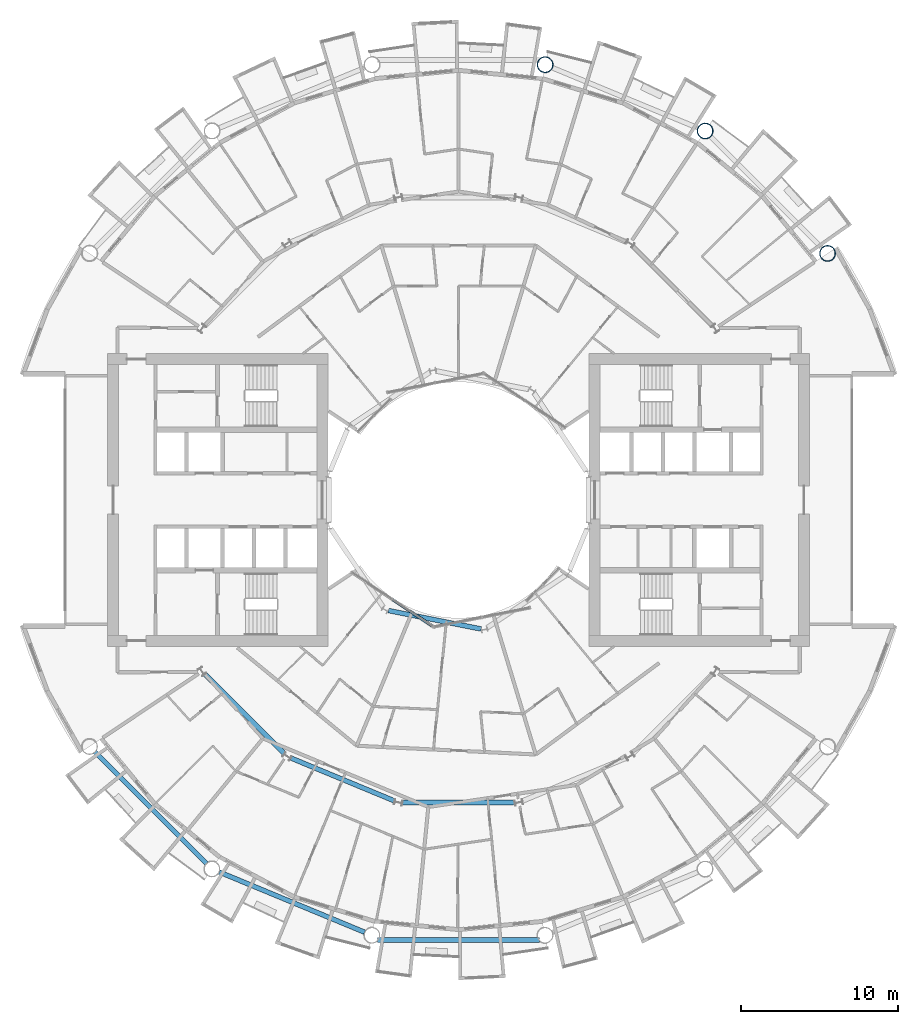
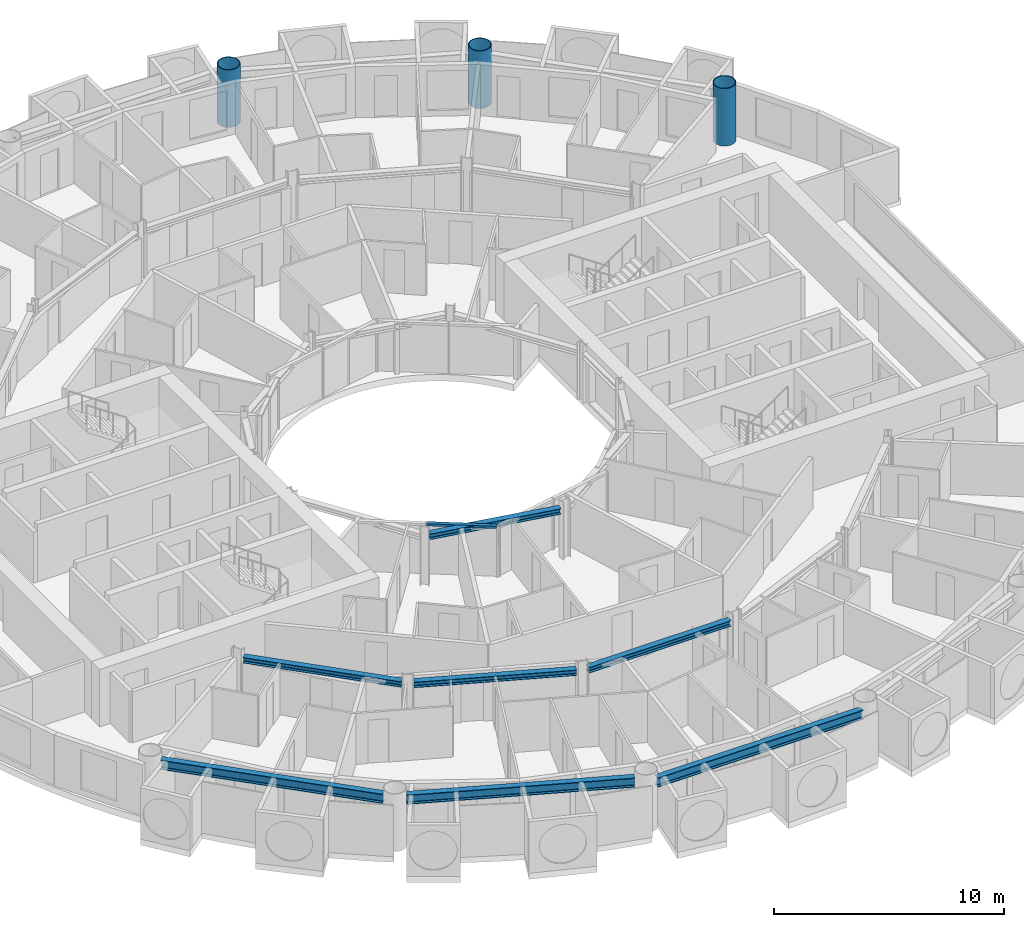
# One storey, part 4 of 26: 7 beams, 3 columns, 1 member, 1 element without a shape of its own.
"""IFC4 building model written with IfcOpenShell, lengths in metres."""

from ifc_helpers import new_model, si_unit, direction, frame, origin, origin_2d, place, context, subcontext, project, spatial, rectangle, hollow_circle, i_section, extrude, material, layer, layer_set, material_profile, profile_set, type_object, element, aggregate, save


model = new_model("IFC4")

# Units and contexts
model_context = context("Model", 3, precision=1e-05, world=origin(), true_north=direction((0.0, 1.0)))
body_context = subcontext(model_context, "Body", "Model", "MODEL_VIEW")
ifc_project = project(units=[si_unit("LENGTHUNIT", "METRE"), si_unit("AREAUNIT", "SQUARE_METRE"), si_unit("VOLUMEUNIT", "CUBIC_METRE"), si_unit("PLANEANGLEUNIT", "RADIAN"), si_unit("MASSUNIT", "GRAM", prefix="KILO")], contexts=[model_context])

# Site, building, storey
site_placement = place(None, origin())
site = spatial("IfcSite", under=ifc_project, at=site_placement, CompositionType="ELEMENT")
building_placement = place(site_placement, origin())
building = spatial("IfcBuilding", under=site, at=building_placement, Name="Maasbend Ring Residences", CompositionType="ELEMENT")
storey_placement = place(building_placement, frame((0.0, 0.0, 78.85009765625)))
storey = spatial("IfcBuildingStorey", under=building, at=storey_placement, Name="L22", CompositionType="ELEMENT", Elevation=78.85009765625)

# Columns
ifc_material_1 = material(Name="Composite concrete-filled steel tube S460NH / C80/95", Category="concrete")
ifc_material_profile_1 = material_profile(ifc_material_1, hollow_circle(Radius=0.508056640625, WallThickness=0.0400390625, at=origin_2d()), Name="Composite tube column CHS 1016x40")
ifc_profile_set_1 = profile_set([ifc_material_profile_1], Name="Composite concrete-filled steel tube S460NH / C80/95")
column_type = type_object("IfcColumnType", Name="Composite tube column CHS 1016x40", PredefinedType="COLUMN", material=ifc_profile_set_1)
for number, where, z_axis, x_axis, name in (
    (1, (23.447509765625, 15.6669921875, 0.0), (0.0, 0.0, 1.0), (1.0, 0.0, 0.0), "Outer column R2"),
    (2, (15.6669921875, 23.447509765625, 0.0), (0.0, 0.0, 1.0), (1.0, 0.0, 0.0), "Outer column R3"),
    (3, (5.50146484375, 27.658203125, 0.0), (0.0, 0.0, 1.0), (1.0, 0.0, 0.0), "Outer column R4"),
):
    element("IfcColumn", number, at=place(storey_placement, frame(where, z_axis=z_axis, x_axis=x_axis)), inside=storey, type_object=column_type, Name=name, PredefinedType="COLUMN", context=body_context, shape_type="SweptSolid", body=[
        extrude(hollow_circle(Radius=0.508056640625, WallThickness=0.0400390625, at=origin_2d()), origin(), (0.0, 0.0, 1.0), 3.0498046875),
    ])

# Curtain wall, member
ifc_material_2 = material(Name="Aluminium and clear glass", Category="aluminium")
ifc_layer = layer(ifc_material_2, 0.179931640625)
ifc_layer_set = layer_set([ifc_layer], Name="CW-W")
curtain_wall_type = type_object("IfcCurtainWallType", Name="CW-W", PredefinedType="NOTDEFINED", material=ifc_layer_set)
curtain_wall_placement = place(storey_placement, origin())
curtain_wall = element("IfcCurtainWall", 4, at=curtain_wall_placement, inside=storey, type_object=curtain_wall_type, Name="Well curtain wall S1", PredefinedType="NOTDEFINED")
ifc_material_3 = material(Name="Aluminium 6063-T6", Category="aluminium")
ifc_material_profile_2 = material_profile(ifc_material_3, rectangle(XDim=0.179931640625, YDim=0.1201171875, at=origin_2d()), Name="AL 180x120")
ifc_profile_set_2 = profile_set([ifc_material_profile_2], Name="Aluminium 6063-T6")
member_type = type_object("IfcMemberType", Name="CWT-W", PredefinedType="USERDEFINED", material=ifc_profile_set_2)
member_placement = place(storey_placement, frame((-4.19189453125, -6.32763671875, 2.639892578125), z_axis=(0.831496422459, -0.555530106689, 0.0), x_axis=(0.555530106689, 0.831496422459, 0.0)))
member = element("IfcMember", 5, at=member_placement, type_object=member_type, Name="Transom well face", ObjectType="TRANSOM", PredefinedType="USERDEFINED", context=body_context, shape_type="SweptSolid", body=[
    extrude(rectangle(XDim=0.179931640625, YDim=0.1201171875, at=origin_2d()), origin(), (0.0, 0.0, 1.0), 3.053955078125),
])
aggregate(curtain_wall, [member])

# Beams
ifc_material_4 = material(Name="Steel S355J2", Category="steel")
ifc_material_profile_3 = material_profile(ifc_material_4, i_section(OverallWidth=0.300048828125, OverallDepth=0.300048828125, WebThickness=0.010986328125, FlangeThickness=0.01904296875, FilletRadius=0.027099609375, at=origin_2d()), Name="HEB 300")
ifc_profile_set_3 = profile_set([ifc_material_profile_3], Name="Steel S355J2")
beam_type_1 = type_object("IfcBeamType", Name="Corridor ring beam HEB 300", PredefinedType="BEAM", material=ifc_profile_set_3)
for number, where, z_axis, x_axis, name in (
    (6, (-16.10791015625, -11.078125, 2.5498046875), (0.707106781187, -0.707106781187, 0.0), (0.707106781187, 0.707106781187, 0.0), "Corridor ring beam"),
    (7, (-10.642333984375, -16.39892578125, 2.5498046875), (0.923877113721, -0.382689271788, 0.0), (0.382689271788, 0.923877113721, 0.0), "Corridor ring beam"),
    (8, (-3.556640625, -19.223388671875, 2.5498046875), (1.0, 0.0, 0.0), (0.0, 1.0, 0.0), "Corridor ring beam"),
):
    element("IfcBeam", number, at=place(storey_placement, frame(where, z_axis=z_axis, x_axis=x_axis)), inside=storey, type_object=beam_type_1, Name=name, PredefinedType="BEAM", context=body_context, shape_type="SweptSolid", body=[
        extrude(i_section(OverallWidth=0.300048828125, OverallDepth=0.300048828125, WebThickness=0.010986328125, FlangeThickness=0.01904296875, FilletRadius=0.027099609375, at=origin_2d()), origin(), (0.0, 0.0, 1.0), 7.11328125),
    ])
ifc_material_5 = material(Name="Steel S355J2", Category="steel")
ifc_material_profile_4 = material_profile(ifc_material_5, i_section(OverallWidth=0.300048828125, OverallDepth=0.5, WebThickness=0.014404296875, FlangeThickness=0.028076171875, FilletRadius=0.027099609375, at=origin_2d()), Name="HEB 500")
ifc_profile_set_4 = profile_set([ifc_material_profile_4], Name="Steel S355J2")
beam_type_2 = type_object("IfcBeamType", Name="Spandrel ring beam HEB 500", PredefinedType="SPANDREL", material=ifc_profile_set_4)
beam_1_placement = place(storey_placement, frame((-23.088134765625, -16.0263671875, 2.449951171875), z_axis=(0.707106781187, -0.707106781187, 0.0), x_axis=(0.707106781187, 0.707106781187, 0.0)))
element("IfcBeam", 9, at=beam_1_placement, inside=storey, type_object=beam_type_2, Name="Spandrel ring beam", PredefinedType="SPANDREL", context=body_context, shape_type="SweptSolid", body=[
    extrude(i_section(OverallWidth=0.300048828125, OverallDepth=0.5, WebThickness=0.014404296875, FlangeThickness=0.028076171875, FilletRadius=0.027099609375, at=origin_2d()), origin(), (0.0, 0.0, 1.0), 9.98681640625),
])
beam_2_placement = place(storey_placement, frame((-15.19775390625, -23.641845703125, 2.449951171875), z_axis=(0.923886337442, -0.382667003395, 0.0), x_axis=(0.382667003395, 0.923886337442, 0.0)))
element("IfcBeam", 10, at=beam_2_placement, inside=storey, type_object=beam_type_2, Name="Spandrel ring beam", PredefinedType="SPANDREL", context=body_context, shape_type="SweptSolid", body=[
    extrude(i_section(OverallWidth=0.300048828125, OverallDepth=0.5, WebThickness=0.014404296875, FlangeThickness=0.028076171875, FilletRadius=0.027099609375, at=origin_2d()), origin(), (0.0, 0.0, 1.0), 9.9873046875),
])
beam_3_placement = place(storey_placement, frame((-5.1435546875, -27.9580078125, 2.449951171875), z_axis=(1.0, 0.0, 0.0), x_axis=(0.0, 1.0, 0.0)))
element("IfcBeam", 11, at=beam_3_placement, inside=storey, type_object=beam_type_2, Name="Spandrel ring beam", PredefinedType="SPANDREL", context=body_context, shape_type="SweptSolid", body=[
    extrude(i_section(OverallWidth=0.300048828125, OverallDepth=0.5, WebThickness=0.014404296875, FlangeThickness=0.028076171875, FilletRadius=0.027099609375, at=origin_2d()), origin(), (0.0, 0.0, 1.0), 10.287109375),
])
ifc_material_6 = material(Name="Steel S355J2", Category="steel")
ifc_material_profile_5 = material_profile(ifc_material_6, i_section(OverallWidth=0.300048828125, OverallDepth=0.300048828125, WebThickness=0.010986328125, FlangeThickness=0.01904296875, FilletRadius=0.027099609375, at=origin_2d()), Name="HEB 300")
ifc_profile_set_5 = profile_set([ifc_material_profile_5], Name="Steel S355J2")
beam_type_3 = type_object("IfcBeamType", Name="Well edge beam HEB 300", PredefinedType="BEAM", material=ifc_profile_set_5)
beam_4_placement = place(storey_placement, frame((-4.45458984375, -7.026611328125, 2.5498046875), z_axis=(0.980789954577, -0.195066821885, 0.0), x_axis=(0.195066821885, 0.980789954577, 0.0)))
element("IfcBeam", 12, at=beam_4_placement, inside=storey, type_object=beam_type_3, Name="Well edge beam", PredefinedType="BEAM", context=body_context, shape_type="SweptSolid", body=[
    extrude(i_section(OverallWidth=0.300048828125, OverallDepth=0.300048828125, WebThickness=0.010986328125, FlangeThickness=0.01904296875, FilletRadius=0.027099609375, at=origin_2d()), origin(), (0.0, 0.0, 1.0), 5.996337890625),
])

save(model, "model.ifc")
